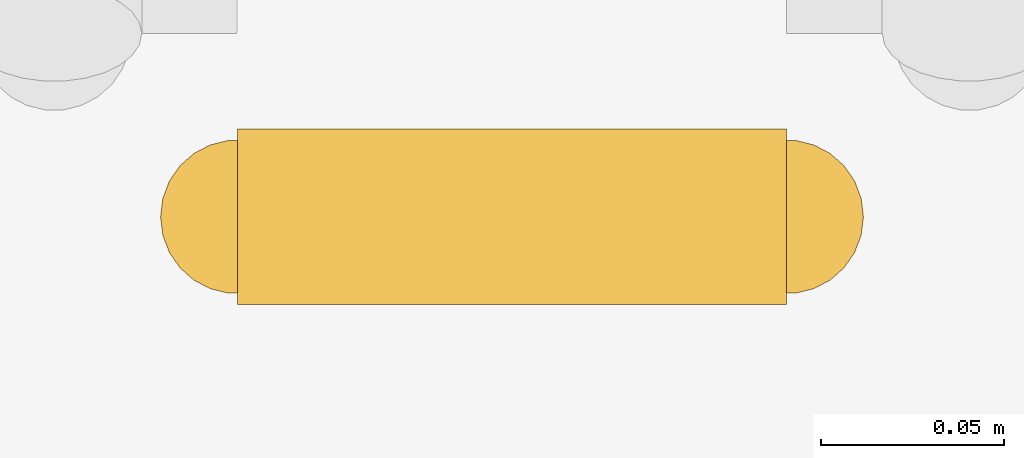
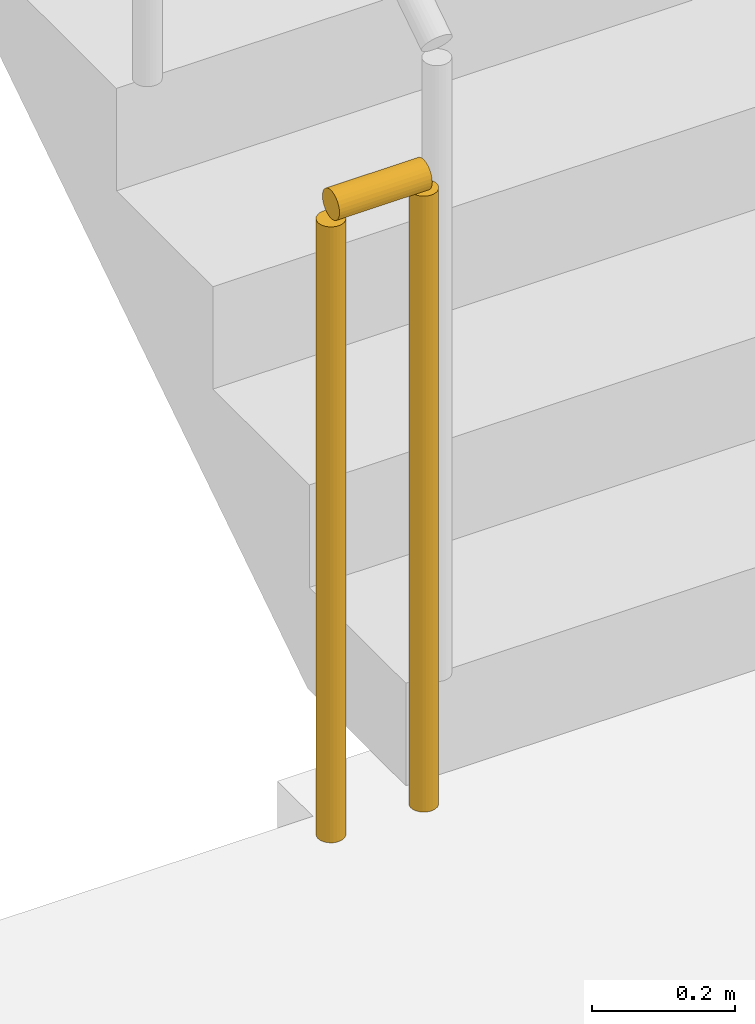
# One storey, part 14 of 19: 1 railing.
"""IFC4 building model written with IfcOpenShell, lengths in metres."""

from ifc_helpers import new_model, si_unit, direction, frame, origin, origin_2d, place, context, subcontext, project, spatial, circle, extrude, material, type_object, element, save


model = new_model("IFC4")

# Units and contexts
model_context = context("Model", 3, precision=1e-05, world=origin(), true_north=direction((0.0, 1.0)))
body_context = subcontext(model_context, "Body", "Model", "MODEL_VIEW")
ifc_project = project(units=[si_unit("LENGTHUNIT", "METRE"), si_unit("AREAUNIT", "SQUARE_METRE"), si_unit("VOLUMEUNIT", "CUBIC_METRE"), si_unit("PLANEANGLEUNIT", "RADIAN"), si_unit("MASSUNIT", "GRAM", prefix="KILO")], contexts=[model_context])

# Site, building, storey
site_placement = place(None, origin())
site = spatial("IfcSite", under=ifc_project, at=site_placement, CompositionType="ELEMENT")
building_placement = place(site_placement, origin())
building = spatial("IfcBuilding", under=site, at=building_placement, Name="Saffron Iwan Residences", CompositionType="ELEMENT")
storey_placement = place(building_placement, frame((0.0, 0.0, 253.5)))
storey = spatial("IfcBuildingStorey", under=building, at=storey_placement, Name="L68", CompositionType="ELEMENT", Elevation=253.5)

# Railing
ifc_material = material(Name="Steel S355", Category="steel")
railing_type = type_object("IfcRailingType", Name="Stair guard 1100", PredefinedType="GUARDRAIL", material=ifc_material)
railing_placement = place(storey_placement, frame((31.25, 67.800048828125, 0.0)))
element("IfcRailing", 1, at=railing_placement, inside=storey, type_object=railing_type, Name="L68 ST-W stair guard 2", PredefinedType="GUARDRAIL", context=body_context, shape_type="SweptSolid", body=[
    extrude(circle(Radius=0.02392578125, at=origin_2d()), frame((0.0, 0.0, 1.076171875), z_axis=(-1.0, 0.0, 0.0), x_axis=(0.0, -1.0, 0.0)), (0.0, 0.0, 1.0), 0.14990234375),
    extrude(circle(Radius=0.02099609375, at=origin_2d()), origin(), (0.0, 0.0, 1.0), 1.052001953125),
    extrude(circle(Radius=0.02099609375, at=origin_2d()), frame((-0.14990234375, 0.0, 0.0)), (0.0, 0.0, 1.0), 1.052001953125),
])

save(model, "model.ifc")
